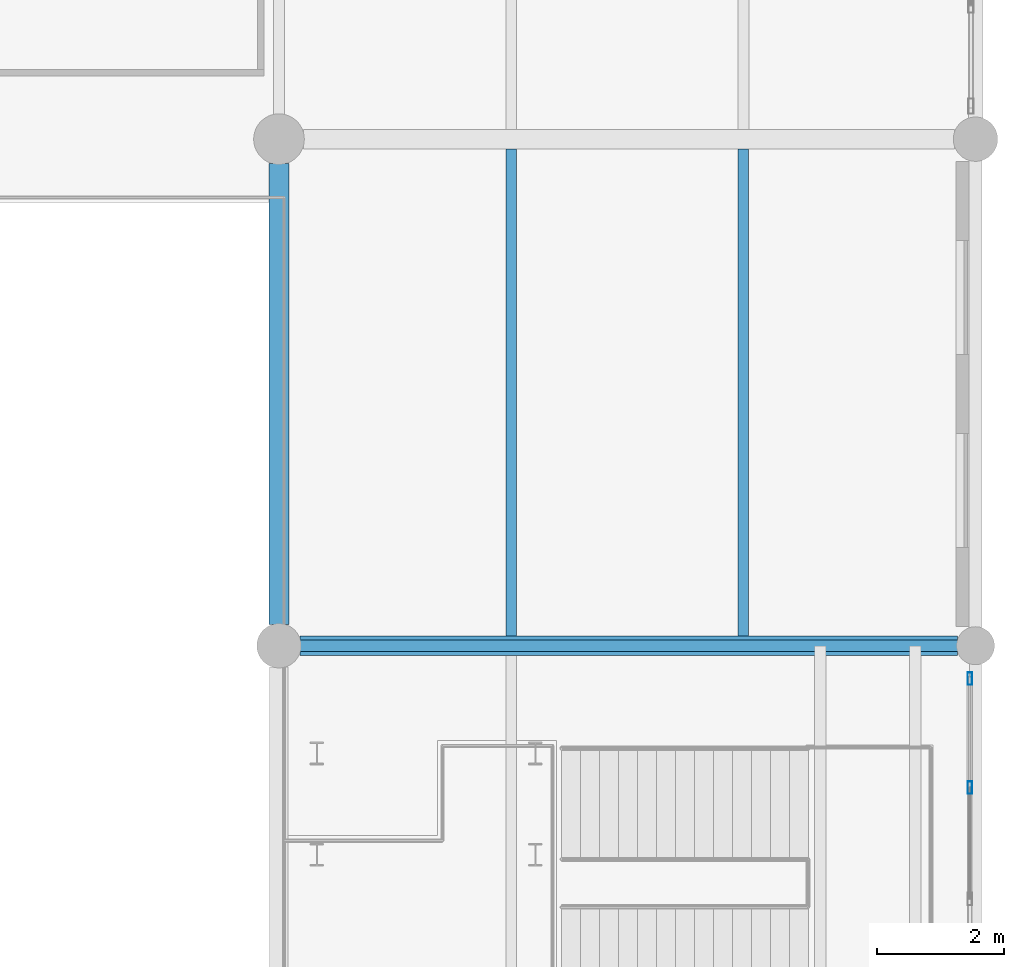
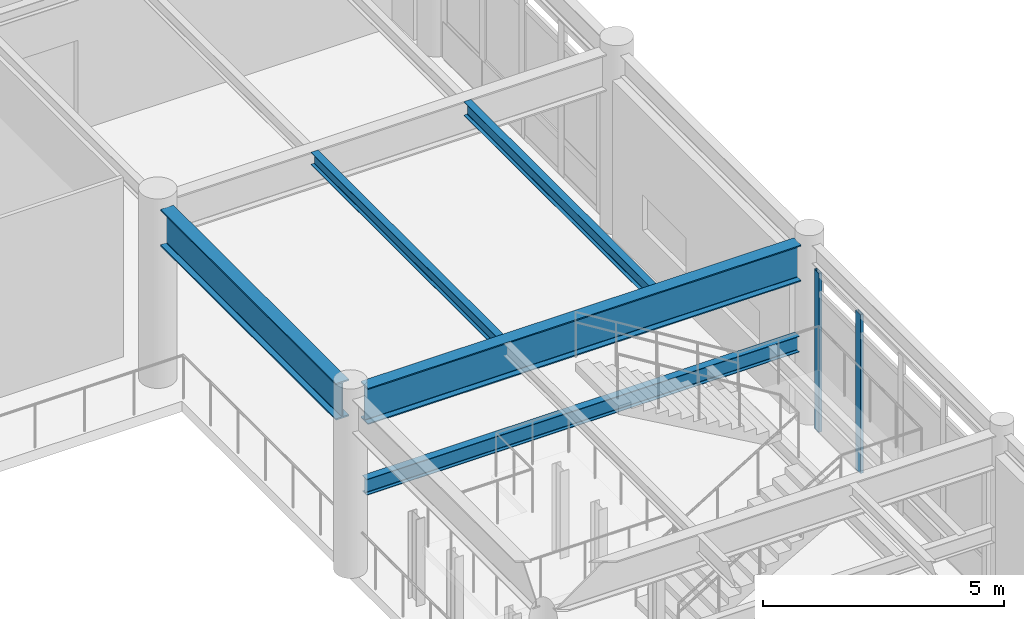
# One storey, part 130 of 200: 5 beams, 2 members, 1 element without a shape of its own.
"""IFC4 building model written with IfcOpenShell, lengths in metres."""

from ifc_helpers import new_model, si_unit, direction, frame, origin, origin_2d, place, context, subcontext, project, spatial, hollow_rectangle, i_section, extrude, material, material_profile, profile_set, type_object, element, aggregate, save


model = new_model("IFC4")

# Units and contexts
model_context = context("Model", 3, precision=1e-05, world=origin(), true_north=direction((0.0, 1.0)))
body_context = subcontext(model_context, "Body", "Model", "MODEL_VIEW")
ifc_project = project(units=[si_unit("LENGTHUNIT", "METRE"), si_unit("AREAUNIT", "SQUARE_METRE"), si_unit("VOLUMEUNIT", "CUBIC_METRE"), si_unit("PLANEANGLEUNIT", "RADIAN"), si_unit("MASSUNIT", "GRAM", prefix="KILO"), si_unit("THERMODYNAMICTEMPERATUREUNIT", "KELVIN"), si_unit("POWERUNIT", "WATT")], contexts=[model_context])

# Site, building, storey
site_placement = place(None, origin())
site = spatial("IfcSite", under=ifc_project, at=site_placement, CompositionType="ELEMENT")
building_placement = place(site_placement, origin())
building = spatial("IfcBuilding", under=site, at=building_placement, Name="Tepalcoro Natatorium and Aquatics Centre", CompositionType="ELEMENT")
storey_placement = place(building_placement, frame((0.0, 0.0, 5.39990234375)))
storey = spatial("IfcBuildingStorey", under=building, at=storey_placement, Name="L01", CompositionType="ELEMENT", Elevation=5.39990234375)

# Beams
ifc_material_1 = material(Name="Steel ASTM A992 Grade 50 (Fy 345 MPa)", Category="steel")
ifc_material_profile_1 = material_profile(ifc_material_1, i_section(OverallWidth=0.177978515625, OverallDepth=0.406005859375, WebThickness=0.008056640625, FlangeThickness=0.012939453125, FilletRadius=0.013916015625, at=origin_2d()), Name="W16X40")
ifc_profile_set_1 = profile_set([ifc_material_profile_1], Name="Steel ASTM A992 Grade 50 (Fy 345 MPa)")
beam_type_1 = type_object("IfcBeamType", Name="BM_W16x40", PredefinedType="BEAM", material=ifc_profile_set_1)
beam_1_placement = place(storey_placement, frame((165.3349609375, 36.0, 1.9970703125), z_axis=(1.0, 0.0, 0.0), x_axis=(0.0, 1.0, 0.0)))
element("IfcBeam", 1, at=beam_1_placement, inside=storey, type_object=beam_type_1, Name="Diving Access Stair Mid-Height Header N", PredefinedType="BEAM", context=body_context, shape_type="SweptSolid", body=[
    extrude(i_section(OverallWidth=0.177978515625, OverallDepth=0.406005859375, WebThickness=0.008056640625, FlangeThickness=0.012939453125, FilletRadius=0.013916015625, at=origin_2d()), origin(), (0.0, 0.0, 1.0), 10.380126953125),
])
ifc_material_profile_2 = material_profile(ifc_material_1, i_section(OverallWidth=0.304931640625, OverallDepth=0.9189453125, WebThickness=0.01708984375, FlangeThickness=0.028076171875, FilletRadius=0.013916015625, at=origin_2d()), Name="W36X170")
ifc_profile_set_2 = profile_set([ifc_material_profile_2], Name="Steel ASTM A992 Grade 50 (Fy 345 MPa)")
beam_type_2 = type_object("IfcBeamType", Name="BM_W36x170", PredefinedType="BEAM", material=ifc_profile_set_2)
beam_2_placement = place(storey_placement, frame((165.3349609375, 36.0, 4.085693359375), z_axis=(1.0, 0.0, 0.0), x_axis=(0.0, 1.0, 0.0)))
element("IfcBeam", 2, at=beam_2_placement, inside=storey, type_object=beam_type_2, Name="V2 L01 Grid Girder X", PredefinedType="BEAM", context=body_context, shape_type="SweptSolid", body=[
    extrude(i_section(OverallWidth=0.304931640625, OverallDepth=0.9189453125, WebThickness=0.01708984375, FlangeThickness=0.028076171875, FilletRadius=0.013916015625, at=origin_2d()), origin(), (0.0, 0.0, 1.0), 10.380126953125),
])
ifc_material_profile_3 = material_profile(ifc_material_1, i_section(OverallWidth=0.31005859375, OverallDepth=0.931884765625, WebThickness=0.02099609375, FlangeThickness=0.034912109375, FilletRadius=0.013916015625, at=origin_2d()), Name="W36X210")
ifc_profile_set_3 = profile_set([ifc_material_profile_3], Name="Steel ASTM A992 Grade 50 (Fy 345 MPa)")
beam_type_3 = type_object("IfcBeamType", Name="BM_W36x210", PredefinedType="BEAM", material=ifc_profile_set_3)
beam_3_placement = place(storey_placement, frame((165.0, 36.3349609375, 4.0791015625), z_axis=(0.0, 1.0, 0.0), x_axis=(-1.0, 0.0, 0.0)))
element("IfcBeam", 3, at=beam_3_placement, inside=storey, type_object=beam_type_3, Name="V2 L01 Grid Girder Y", PredefinedType="BEAM", context=body_context, shape_type="SweptSolid", body=[
    extrude(i_section(OverallWidth=0.31005859375, OverallDepth=0.931884765625, WebThickness=0.02099609375, FlangeThickness=0.034912109375, FilletRadius=0.013916015625, at=origin_2d()), origin(), (0.0, 0.0, 1.0), 7.280029296875),
])

# Curtain wall, members
ifc_material_2 = material(Name="Bronze-Anodised Extruded Aluminium Alloy EN AW-6063 T6", Category="aluminium")
curtain_wall_type = type_object("IfcCurtainWallType", Name="CW_V1_PLINTH", PredefinedType="USERDEFINED", material=ifc_material_2)
curtain_wall_placement = place(storey_placement, origin())
curtain_wall = element("IfcCurtainWall", 4, at=curtain_wall_placement, inside=storey, type_object=curtain_wall_type, Name="V2 L01 E Unitised Curtain Wall Bay 4", ObjectType="UNITISED STOREFRONT", PredefinedType="USERDEFINED")
ifc_material_profile_4 = material_profile(ifc_material_2, hollow_rectangle(XDim=0.070068359375, YDim=0.199951171875, WallThickness=0.0048828125, at=origin_2d()), Name="AL70X200X5")
ifc_profile_set_4 = profile_set([ifc_material_profile_4], Name="Bronze-Anodised Extruded Aluminium Alloy EN AW-6063 T6")
member_type = type_object("IfcMemberType", Name="CW_MUL_70x200", PredefinedType="MULLION", material=ifc_profile_set_4)
member_1_placement = place(storey_placement, frame((175.909912109375, 33.760009765625, 0.02001953125), z_axis=(0.0, 0.0, 1.0), x_axis=(1.0, 0.0, 0.0)))
member_1 = element("IfcMember", 5, at=member_1_placement, type_object=member_type, Name="CW_V1_PLINTH Curtain Wall Mullion", PredefinedType="MULLION", context=body_context, shape_type="SweptSolid", body=[
    extrude(hollow_rectangle(XDim=0.070068359375, YDim=0.199951171875, WallThickness=0.0048828125, at=origin_2d()), origin(), (0.0, 0.0, 1.0), 4.030029296875),
])
member_2_placement = place(storey_placement, frame((175.909912109375, 35.47998046875, 0.02001953125), z_axis=(0.0, 0.0, 1.0), x_axis=(1.0, 0.0, 0.0)))
member_2 = element("IfcMember", 6, at=member_2_placement, type_object=member_type, Name="CW_V1_PLINTH Curtain Wall Mullion", PredefinedType="MULLION", context=body_context, shape_type="SweptSolid", body=[
    extrude(hollow_rectangle(XDim=0.070068359375, YDim=0.199951171875, WallThickness=0.0048828125, at=origin_2d()), origin(), (0.0, 0.0, 1.0), 4.030029296875),
])
aggregate(curtain_wall, [member_1, member_2])

# Beams
ifc_material_profile_5 = material_profile(ifc_material_1, i_section(OverallWidth=0.1669921875, OverallDepth=0.318115234375, WebThickness=0.008056640625, FlangeThickness=0.012939453125, FilletRadius=0.013916015625, at=origin_2d()), Name="W12X35")
ifc_profile_set_5 = profile_set([ifc_material_profile_5], Name="Steel ASTM A992 Grade 50 (Fy 345 MPa)")
beam_type_4 = type_object("IfcBeamType", Name="JS_W12x35", PredefinedType="JOIST", material=ifc_profile_set_5)
beam_4_placement = place(storey_placement, frame((168.666748046875, 36.152587890625, 4.385986328125), z_axis=(0.0, 1.0, 0.0), x_axis=(-1.0, 0.0, 0.0)))
element("IfcBeam", 7, at=beam_4_placement, inside=storey, type_object=beam_type_4, Name="V2 L01 Floor Joist", PredefinedType="JOIST", context=body_context, shape_type="SweptSolid", body=[
    extrude(i_section(OverallWidth=0.1669921875, OverallDepth=0.318115234375, WebThickness=0.008056640625, FlangeThickness=0.012939453125, FilletRadius=0.013916015625, at=origin_2d()), origin(), (0.0, 0.0, 1.0), 7.6923828125),
])
ifc_material_profile_6 = material_profile(ifc_material_1, i_section(OverallWidth=0.1708984375, OverallDepth=0.35107421875, WebThickness=0.007080078125, FlangeThickness=0.010009765625, FilletRadius=0.013916015625, at=origin_2d()), Name="W14X30")
ifc_profile_set_6 = profile_set([ifc_material_profile_6], Name="Steel ASTM A992 Grade 50 (Fy 345 MPa)")
beam_type_5 = type_object("IfcBeamType", Name="JS_W14x30", PredefinedType="JOIST", material=ifc_profile_set_6)
beam_5_placement = place(storey_placement, frame((172.333251953125, 36.152587890625, 4.36962890625), z_axis=(0.0, 1.0, 0.0), x_axis=(-1.0, 0.0, 0.0)))
element("IfcBeam", 8, at=beam_5_placement, inside=storey, type_object=beam_type_5, Name="V2 L01 Floor Joist", PredefinedType="JOIST", context=body_context, shape_type="SweptSolid", body=[
    extrude(i_section(OverallWidth=0.1708984375, OverallDepth=0.35107421875, WebThickness=0.007080078125, FlangeThickness=0.010009765625, FilletRadius=0.013916015625, at=origin_2d()), origin(), (0.0, 0.0, 1.0), 7.6923828125),
])

save(model, "model.ifc")
